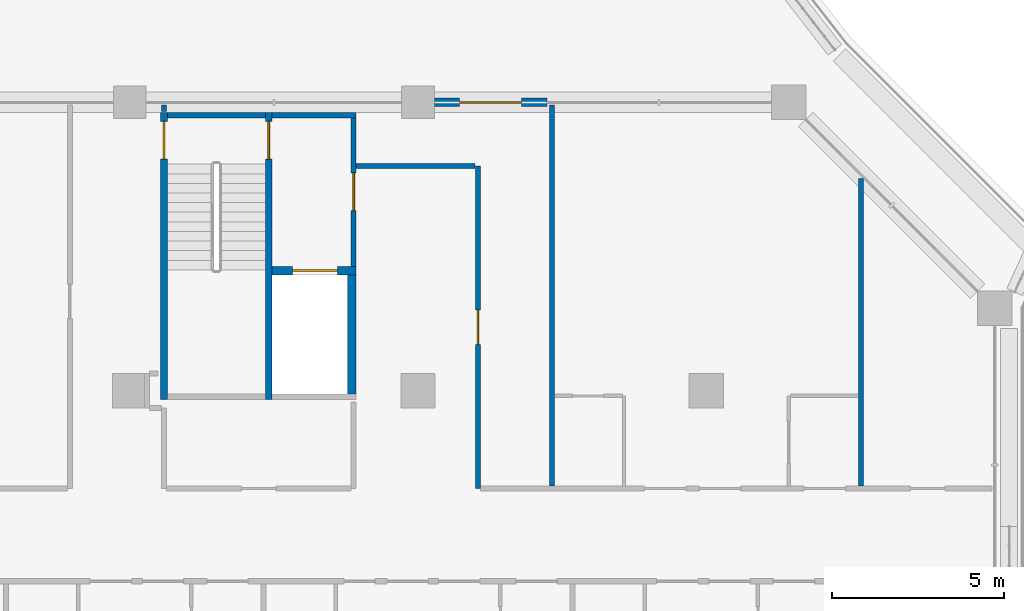
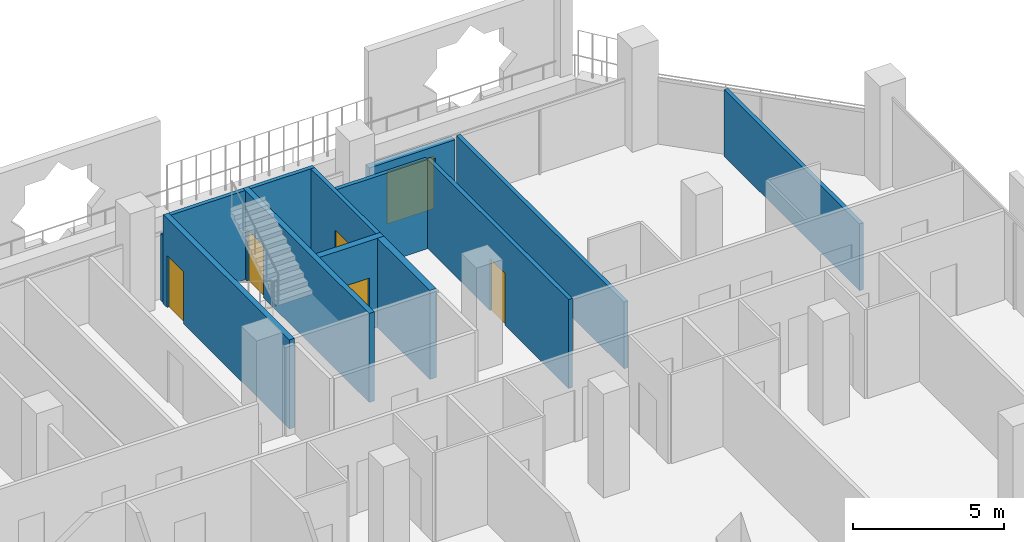
# One storey, part 14 of 22: 13 walls, 6 doors, 6 openings.
"""IFC4 building model written with IfcOpenShell, lengths in metres."""

from ifc_helpers import new_model, si_unit, direction, frame, frame_2d, origin, place, context, subcontext, project, spatial, rectangle, extrude, material, layer, layer_set, type_object, element, fill, save


model = new_model("IFC4")

# Units and contexts
model_context = context("Model", 3, precision=1e-05, world=origin(), true_north=direction((0.0, 1.0)))
body_context = subcontext(model_context, "Body", "Model", "MODEL_VIEW")
ifc_project = project(units=[si_unit("LENGTHUNIT", "METRE"), si_unit("AREAUNIT", "SQUARE_METRE"), si_unit("VOLUMEUNIT", "CUBIC_METRE"), si_unit("PLANEANGLEUNIT", "RADIAN"), si_unit("MASSUNIT", "GRAM", prefix="KILO")], contexts=[model_context])

# Site, building, storey
site_placement = place(None, origin())
site = spatial("IfcSite", under=ifc_project, at=site_placement, CompositionType="ELEMENT")
building_placement = place(site_placement, origin())
building = spatial("IfcBuilding", under=site, at=building_placement, Name="Kawkab Arch Medical Tower", CompositionType="ELEMENT")
storey_placement = place(building_placement, frame((0.0, 0.0, 187.800048828125)))
storey = spatial("IfcBuildingStorey", under=building, at=storey_placement, Name="L43", CompositionType="ELEMENT", Elevation=187.800048828125)

# Wall, opening, door
ifc_material_1 = material(Name="Gypsum board on steel studs", Category="steel")
ifc_layer_1 = layer(ifc_material_1, 0.14990234375)
ifc_layer_set_1 = layer_set([ifc_layer_1], Name="Gypsum board on steel studs")
wall_type_1 = type_object("IfcWallType", Name="Core room partition 150", PredefinedType="PARTITIONING", material=ifc_layer_set_1)
wall_1_placement = place(storey_placement, frame((48.52490234375, -4.77490234375, 0.0), z_axis=(0.0, 0.0, 1.0), x_axis=(0.0, 1.0, 0.0)))
wall_1 = element("IfcWall", 1, at=wall_1_placement, inside=storey, type_object=wall_type_1, Name="L43 core room partition", PredefinedType="PARTITIONING", context=body_context, shape_type="SweptSolid", body=[
    extrude(rectangle(XDim=4.324951171875, YDim=0.14990234375, at=frame_2d((2.16259765625, 0.0))), origin(), (0.0, 0.0, 1.0), 3.599853515625),
])
opening_1_placement = place(wall_1_placement, frame((1.625, 0.0, 0.0)))
opening_1 = element("IfcOpeningElement", 2, at=opening_1_placement, cuts=wall_1, Name="Opening FD", PredefinedType="OPENING", context=body_context, shape_type="SweptSolid", body=[
    extrude(rectangle(XDim=1.10009765625, YDim=2.10009765625, at=frame_2d((0.550048828125, 1.050048828125))), frame((0.0, 0.0849609375, 0.0), z_axis=(0.0, -1.0, 0.0), x_axis=(1.0, 0.0, 0.0)), (0.0, 0.0, 1.0), 0.169921875),
])
ifc_material_2 = material(Name="Hollow metal fire door leaf")
door_type_1 = type_object("IfcDoorType", Name="Firefighting lobby door 1100", OperationType="SINGLE_SWING_LEFT", PredefinedType="DOOR", material=ifc_material_2)
door_1_placement = place(opening_1_placement, origin())
door_1 = element("IfcDoor", 3, at=door_1_placement, inside=storey, type_object=door_type_1, Name="L43 Service lift lobby door SV1", OperationType="SINGLE_SWING_LEFT", OverallHeight=2.10009765625, OverallWidth=1.10009765625, PredefinedType="DOOR", context=body_context, shape_type="SweptSolid", body=[
    extrude(rectangle(XDim=1.10009765625, YDim=2.10009765625, at=frame_2d((0.550048828125, 1.050048828125))), frame((0.0, 0.02490234375, 0.0), z_axis=(0.0, -1.0, 0.0), x_axis=(1.0, 0.0, 0.0)), (0.0, 0.0, 1.0), 0.050048828125),
])
fill(opening_1, door_1)

ifc_material_3 = material(Name="Concrete C60/75", Category="concrete")
ifc_layer_2 = layer(ifc_material_3, 0.25)
ifc_layer_set_2 = layer_set([ifc_layer_2], Name="Concrete C60/75")
wall_type_2 = type_object("IfcWallType", Name="Core shear wall 250 C60/75", PredefinedType="SHEAR", material=ifc_layer_set_2)
wall_2_placement = place(storey_placement, frame((46.14990234375, -4.89990234375, 0.0), z_axis=(0.0, 0.0, 1.0), x_axis=(1.0, 0.0, 0.0)))
wall_2 = element("IfcWall", 4, at=wall_2_placement, inside=storey, type_object=wall_type_2, Name="L43 core shear wall", PredefinedType="SHEAR", context=body_context, shape_type="SweptSolid", body=[
    extrude(rectangle(XDim=2.4501953125, YDim=0.25, at=frame_2d((1.22509765625, 0.0))), origin(), (0.0, 0.0, 1.0), 3.599853515625),
])
opening_2_placement = place(wall_2_placement, frame((0.60009765625, 0.0, 0.0)))
opening_2 = element("IfcOpeningElement", 5, at=opening_2_placement, cuts=wall_2, Name="Opening LD2", PredefinedType="OPENING", context=body_context, shape_type="SweptSolid", body=[
    extrude(rectangle(XDim=1.300048828125, YDim=2.10009765625, at=frame_2d((0.64990234375, 1.050048828125))), frame((0.0, 0.135009765625, 0.0), z_axis=(0.0, -1.0, 0.0), x_axis=(1.0, 0.0, 0.0)), (0.0, 0.0, 1.0), 0.27001953125),
])
ifc_material_4 = material(Name="Stainless steel lift door leaf", Category="steel")
door_type_2 = type_object("IfcDoorType", Name="Lift landing door 1300", OperationType="DOUBLE_DOOR_SLIDING", PredefinedType="DOOR", material=ifc_material_4)
door_2_placement = place(opening_2_placement, origin())
door_2 = element("IfcDoor", 6, at=door_2_placement, inside=storey, type_object=door_type_2, Name="L43 Lift landing door SV1", OperationType="DOUBLE_DOOR_SLIDING", OverallHeight=2.10009765625, OverallWidth=1.300048828125, PredefinedType="DOOR", context=body_context, shape_type="SweptSolid", body=[
    extrude(rectangle(XDim=1.300048828125, YDim=2.10009765625, at=frame_2d((0.64990234375, 1.050048828125))), frame((0.0, 0.02490234375, 0.0), z_axis=(0.0, -1.0, 0.0), x_axis=(1.0, 0.0, 0.0)), (0.0, 0.0, 1.0), 0.050048828125),
])
fill(opening_2, door_2)

# Wall
wall_3_placement = place(storey_placement, frame((48.47509765625, -8.5, 0.0), z_axis=(0.0, 0.0, 1.0), x_axis=(0.0, 1.0, 0.0)))
element("IfcWall", 7, at=wall_3_placement, inside=storey, type_object=wall_type_2, Name="L43 core shear wall", PredefinedType="SHEAR", context=body_context, shape_type="SweptSolid", body=[
    extrude(rectangle(XDim=3.47509765625, YDim=0.25, at=frame_2d((1.737548828125, 0.0))), origin(), (0.0, 0.0, 1.0), 3.599853515625),
])

# Wall, opening, door
ifc_material_5 = material(Name="Bronze clad insulated wall panel")
ifc_layer_3 = layer(ifc_material_5, 0.25)
ifc_layer_set_3 = layer_set([ifc_layer_3], Name="Bronze clad insulated wall panel")
wall_type_3 = type_object("IfcWallType", Name="External wall bay 250", PredefinedType="SOLIDWALL", material=ifc_layer_set_3)
wall_4_placement = place(storey_placement, frame((54.14990234375, 0.0, 0.0), z_axis=(0.0, 0.0, 1.0), x_axis=(-1.0, 0.0, 0.0)))
wall_4 = element("IfcWall", 8, at=wall_4_placement, inside=storey, type_object=wall_type_3, Name="External wall bay L43.R11.1.3", PredefinedType="SOLIDWALL", context=body_context, shape_type="SweptSolid", body=[
    extrude(rectangle(XDim=3.27490234375, YDim=0.25, at=frame_2d((1.637451171875, 0.0))), origin(), (0.0, 0.0, 1.0), 2.579833984375),
])
opening_3_placement = place(wall_4_placement, frame((0.737548828125, 0.0, 0.0)))
opening_3 = element("IfcOpeningElement", 9, at=opening_3_placement, cuts=wall_4, Name="Opening W43-701", PredefinedType="OPENING", context=body_context, shape_type="SweptSolid", body=[
    extrude(rectangle(XDim=1.800048828125, YDim=2.10009765625, at=frame_2d((0.89990234375, 1.050048828125))), frame((0.0, 0.135009765625, 0.0), z_axis=(0.0, -1.0, 0.0), x_axis=(1.0, 0.0, 0.0)), (0.0, 0.0, 1.0), 0.27001953125),
])
ifc_material_6 = material(Name="Bronze anodised aluminium door with tinted glass", Category="aluminium")
door_type_3 = type_object("IfcDoorType", Name="Double external door 1800 x 2100", OperationType="DOUBLE_DOOR_SINGLE_SWING", PredefinedType="DOOR", material=ifc_material_6)
door_3_placement = place(opening_3_placement, origin())
door_3 = element("IfcDoor", 10, at=door_3_placement, inside=storey, type_object=door_type_3, Name="External door L43.R11.1.3", OperationType="DOUBLE_DOOR_SINGLE_SWING", OverallHeight=2.10009765625, OverallWidth=1.800048828125, PredefinedType="DOOR", context=body_context, shape_type="SweptSolid", body=[
    extrude(rectangle(XDim=1.800048828125, YDim=2.10009765625, at=frame_2d((0.89990234375, 1.050048828125))), frame((0.0, 0.02490234375, 0.0), z_axis=(0.0, -1.0, 0.0), x_axis=(1.0, 0.0, 0.0)), (0.0, 0.0, 1.0), 0.050048828125),
])
fill(opening_3, door_3)

# Walls
ifc_material_7 = material(Name="Gypsum board partition on steel studs, mineral wool", Category="steel")
ifc_layer_4 = layer(ifc_material_7, 0.14990234375)
ifc_layer_set_4 = layer_set([ifc_layer_4], Name="Gypsum board partition on steel studs, mineral wool")
wall_type_4 = type_object("IfcWallType", Name="Partition 150", PredefinedType="PARTITIONING", material=ifc_layer_set_4)
wall_5_placement = place(storey_placement, frame((48.60009765625, -1.85009765625, 0.0), z_axis=(0.0, 0.0, 1.0), x_axis=(1.0, 0.0, 0.0)))
element("IfcWall", 11, at=wall_5_placement, inside=storey, type_object=wall_type_4, Name="Partition 150 w041", PredefinedType="PARTITIONING", context=body_context, shape_type="SweptSolid", body=[
    extrude(rectangle(XDim=3.4658203125, YDim=0.14990234375, at=frame_2d((1.73291015625, 0.0))), origin(), (0.0, 0.0, 1.0), 3.599853515625),
])
wall_6_placement = place(storey_placement, frame((43.0, -0.27001953125, 0.0), z_axis=(0.0, 0.0, 1.0), x_axis=(0.0, 1.0, 0.0)))
element("IfcWall", 12, at=wall_6_placement, inside=storey, type_object=wall_type_4, Name="Partition 150 w063", PredefinedType="PARTITIONING", context=body_context, shape_type="SweptSolid", body=[
    extrude(rectangle(XDim=0.18994140625, YDim=0.14990234375, at=frame_2d((0.094970703125, 0.0))), origin(), (0.0, 0.0, 1.0), 2.699951171875),
])

# Wall, opening, door
wall_7_placement = place(storey_placement, frame((52.14306640625, -11.25, 0.0), z_axis=(0.0, 0.0, 1.0), x_axis=(0.0, 1.0, 0.0)))
wall_7 = element("IfcWall", 13, at=wall_7_placement, inside=storey, type_object=wall_type_4, Name="Partition 150 w066", PredefinedType="PARTITIONING", context=body_context, shape_type="SweptSolid", body=[
    extrude(rectangle(XDim=9.39794921875, YDim=0.14990234375, at=frame_2d((4.698974609375, 0.0))), origin(), (0.0, 0.0, 1.0), 3.599853515625),
])
opening_4_placement = place(wall_7_placement, frame((4.198974609375, 0.0, 0.0)))
opening_4 = element("IfcOpeningElement", 14, at=opening_4_placement, cuts=wall_7, Name="Opening W43-014", PredefinedType="OPENING", context=body_context, shape_type="SweptSolid", body=[
    extrude(rectangle(XDim=1.0, YDim=2.10009765625, at=frame_2d((0.5, 1.050048828125))), frame((0.0, 0.0849609375, 0.0), z_axis=(0.0, -1.0, 0.0), x_axis=(1.0, 0.0, 0.0)), (0.0, 0.0, 1.0), 0.169921875),
])
ifc_material_8 = material(Name="Hollow metal door leaf")
door_type_4 = type_object("IfcDoorType", Name="Single door 1000x2100 FD30S", OperationType="NOTDEFINED", PredefinedType="DOOR", material=ifc_material_8)
door_4_placement = place(opening_4_placement, origin())
door_4 = element("IfcDoor", 15, at=door_4_placement, inside=storey, type_object=door_type_4, Name="Door W43-014", OperationType="SINGLE_SWING_RIGHT", OverallHeight=2.10009765625, OverallWidth=1.0, PredefinedType="DOOR", context=body_context, shape_type="SweptSolid", body=[
    extrude(rectangle(XDim=1.0, YDim=2.10009765625, at=frame_2d((0.5, 1.050048828125))), frame((0.0, 0.02490234375, 0.0), z_axis=(0.0, -1.0, 0.0), x_axis=(1.0, 0.0, 0.0)), (0.0, 0.0, 1.0), 0.050048828125),
])
fill(opening_4, door_4)

# Walls
wall_8_placement = place(storey_placement, frame((54.300048828125, -11.175048828125, 0.0), z_axis=(0.0, 0.0, 1.0), x_axis=(0.0, 1.0, 0.0)))
element("IfcWall", 16, at=wall_8_placement, inside=storey, type_object=wall_type_4, Name="Partition 150 w067", PredefinedType="PARTITIONING", context=body_context, shape_type="SweptSolid", body=[
    extrude(rectangle(XDim=11.094970703125, YDim=0.14990234375, at=frame_2d((5.54736328125, 0.0))), origin(), (0.0, 0.0, 1.0), 2.699951171875),
])
wall_9_placement = place(storey_placement, frame((63.300048828125, -11.175048828125, 0.0), z_axis=(0.0, 0.0, 1.0), x_axis=(0.0, 1.0, 0.0)))
element("IfcWall", 17, at=wall_9_placement, inside=storey, type_object=wall_type_4, Name="Partition 150 w070", PredefinedType="PARTITIONING", context=body_context, shape_type="SweptSolid", body=[
    extrude(rectangle(XDim=8.962158203125, YDim=0.14990234375, at=frame_2d((4.48095703125, 0.0))), origin(), (0.0, 0.0, 1.0), 2.699951171875),
])
ifc_material_9 = material(Name="Concrete C50/60", Category="concrete")
ifc_layer_5 = layer(ifc_material_9, 0.14990234375)
ifc_layer_set_5 = layer_set([ifc_layer_5], Name="Concrete C50/60")
wall_type_5 = type_object("IfcWallType", Name="Stair enclosure wall 150 C50/60", PredefinedType="SHEAR", material=ifc_layer_set_5)
wall_10_placement = place(storey_placement, frame((43.10009765625, -0.375, 0.0), z_axis=(0.0, 0.0, 1.0), x_axis=(1.0, 0.0, 0.0)))
element("IfcWall", 18, at=wall_10_placement, inside=storey, type_object=wall_type_5, Name="L43 stair enclosure wall", PredefinedType="SHEAR", context=body_context, shape_type="SweptSolid", body=[
    extrude(rectangle(XDim=2.849853515625, YDim=0.14990234375, at=frame_2d((1.4248046875, 0.0))), origin(), (0.0, 0.0, 1.0), 3.599853515625),
])
wall_11_placement = place(storey_placement, frame((46.14990234375, -0.375, 0.0), z_axis=(0.0, 0.0, 1.0), x_axis=(1.0, 0.0, 0.0)))
element("IfcWall", 19, at=wall_11_placement, inside=storey, type_object=wall_type_5, Name="L43 stair enclosure wall", PredefinedType="SHEAR", context=body_context, shape_type="SweptSolid", body=[
    extrude(rectangle(XDim=2.4501953125, YDim=0.14990234375, at=frame_2d((1.22509765625, 0.0))), origin(), (0.0, 0.0, 1.0), 3.599853515625),
])

# Wall, opening, door
ifc_material_10 = material(Name="Concrete C50/60", Category="concrete")
ifc_layer_6 = layer(ifc_material_10, 0.199951171875)
ifc_layer_set_6 = layer_set([ifc_layer_6], Name="Concrete C50/60")
wall_type_6 = type_object("IfcWallType", Name="Stair enclosure wall 200 C50/60", PredefinedType="SHEAR", material=ifc_layer_set_6)
wall_12_placement = place(storey_placement, frame((43.0, -8.64990234375, 0.0), z_axis=(0.0, 0.0, 1.0), x_axis=(0.0, 1.0, 0.0)))
wall_12 = element("IfcWall", 20, at=wall_12_placement, inside=storey, type_object=wall_type_6, Name="L43 stair enclosure wall", PredefinedType="SHEAR", context=body_context, shape_type="SweptSolid", body=[
    extrude(rectangle(XDim=8.349853515625, YDim=0.199951171875, at=frame_2d((4.1748046875, 0.0))), origin(), (0.0, 0.0, 1.0), 3.599853515625),
])
opening_5_placement = place(wall_12_placement, frame((7.0, 0.0, 0.0)))
opening_5 = element("IfcOpeningElement", 21, at=opening_5_placement, cuts=wall_12, Name="Opening SD", PredefinedType="OPENING", context=body_context, shape_type="SweptSolid", body=[
    extrude(rectangle(XDim=1.10009765625, YDim=2.10009765625, at=frame_2d((0.550048828125, 1.050048828125))), frame((0.0, 0.10986328125, 0.0), z_axis=(0.0, -1.0, 0.0), x_axis=(1.0, 0.0, 0.0)), (0.0, 0.0, 1.0), 0.219970703125),
])
ifc_material_11 = material(Name="Hollow metal fire door leaf")
door_type_5 = type_object("IfcDoorType", Name="Exit stair door 1100", OperationType="SINGLE_SWING_LEFT", PredefinedType="DOOR", material=ifc_material_11)
door_5_placement = place(opening_5_placement, frame((1.10009765625, 0.0, 0.0), z_axis=(0.0, 0.0, 1.0), x_axis=(-1.0, 0.0, 0.0)))
door_5 = element("IfcDoor", 22, at=door_5_placement, inside=storey, type_object=door_type_5, Name="L43 Exit stair ST5 door", OperationType="SINGLE_SWING_LEFT", OverallHeight=2.10009765625, OverallWidth=1.10009765625, PredefinedType="DOOR", context=body_context, shape_type="SweptSolid", body=[
    extrude(rectangle(XDim=1.10009765625, YDim=2.10009765625, at=frame_2d((0.550048828125, 1.050048828125))), frame((0.0, 0.02490234375, 0.0), z_axis=(0.0, -1.0, 0.0), x_axis=(1.0, 0.0, 0.0)), (0.0, 0.0, 1.0), 0.050048828125),
])
fill(opening_5, door_5)

wall_13_placement = place(storey_placement, frame((46.050048828125, -8.64990234375, 0.0), z_axis=(0.0, 0.0, 1.0), x_axis=(0.0, 1.0, 0.0)))
wall_13 = element("IfcWall", 23, at=wall_13_placement, inside=storey, type_object=wall_type_6, Name="L43 stair enclosure wall", PredefinedType="SHEAR", context=body_context, shape_type="SweptSolid", body=[
    extrude(rectangle(XDim=8.349853515625, YDim=0.199951171875, at=frame_2d((4.1748046875, 0.0))), origin(), (0.0, 0.0, 1.0), 3.599853515625),
])
opening_6_placement = place(wall_13_placement, frame((7.0, 0.0, 0.0)))
opening_6 = element("IfcOpeningElement", 24, at=opening_6_placement, cuts=wall_13, Name="Opening SD", PredefinedType="OPENING", context=body_context, shape_type="SweptSolid", body=[
    extrude(rectangle(XDim=1.10009765625, YDim=2.10009765625, at=frame_2d((0.550048828125, 1.050048828125))), frame((0.0, 0.10986328125, 0.0), z_axis=(0.0, -1.0, 0.0), x_axis=(1.0, 0.0, 0.0)), (0.0, 0.0, 1.0), 0.219970703125),
])
door_6_placement = place(opening_6_placement, origin())
door_6 = element("IfcDoor", 25, at=door_6_placement, inside=storey, type_object=door_type_5, Name="L43 Exit stair ST5 lobby door", OperationType="SINGLE_SWING_LEFT", OverallHeight=2.10009765625, OverallWidth=1.10009765625, PredefinedType="DOOR", context=body_context, shape_type="SweptSolid", body=[
    extrude(rectangle(XDim=1.10009765625, YDim=2.10009765625, at=frame_2d((0.550048828125, 1.050048828125))), frame((0.0, 0.02490234375, 0.0), z_axis=(0.0, -1.0, 0.0), x_axis=(1.0, 0.0, 0.0)), (0.0, 0.0, 1.0), 0.050048828125),
])
fill(opening_6, door_6)

save(model, "model.ifc")
